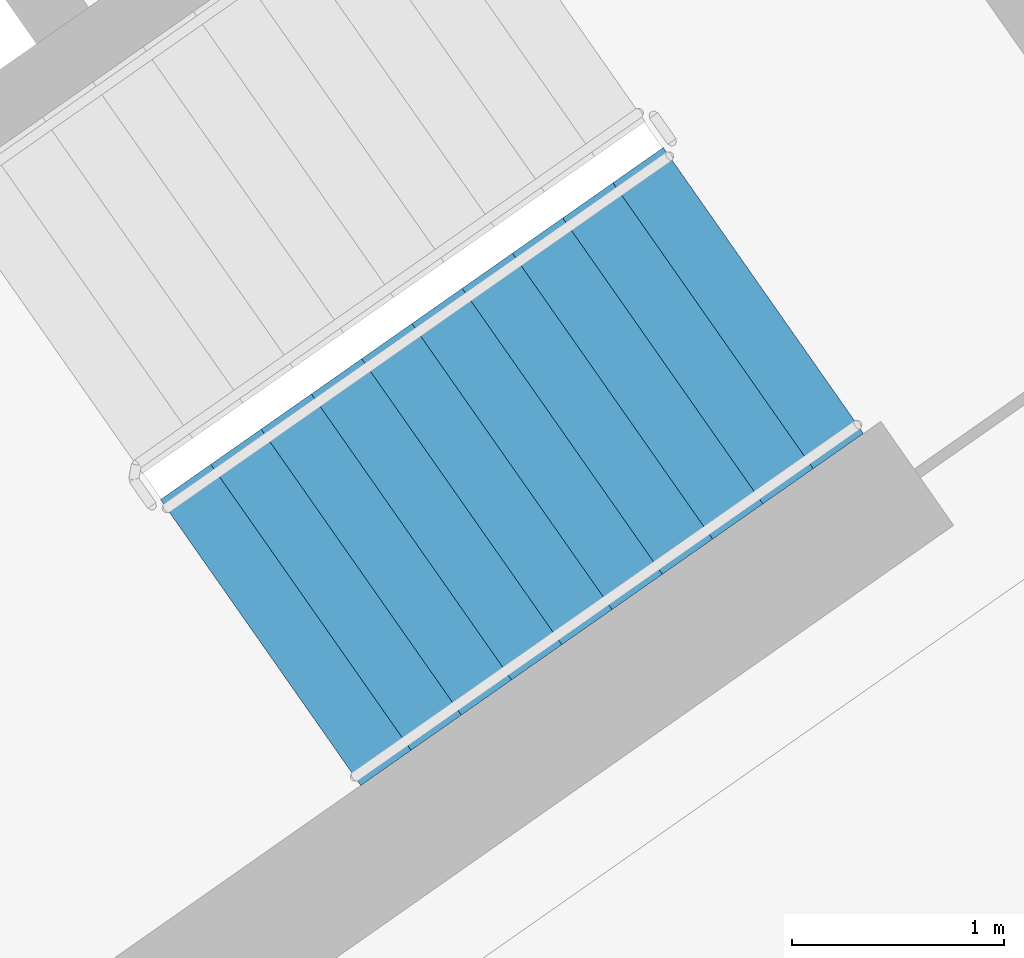
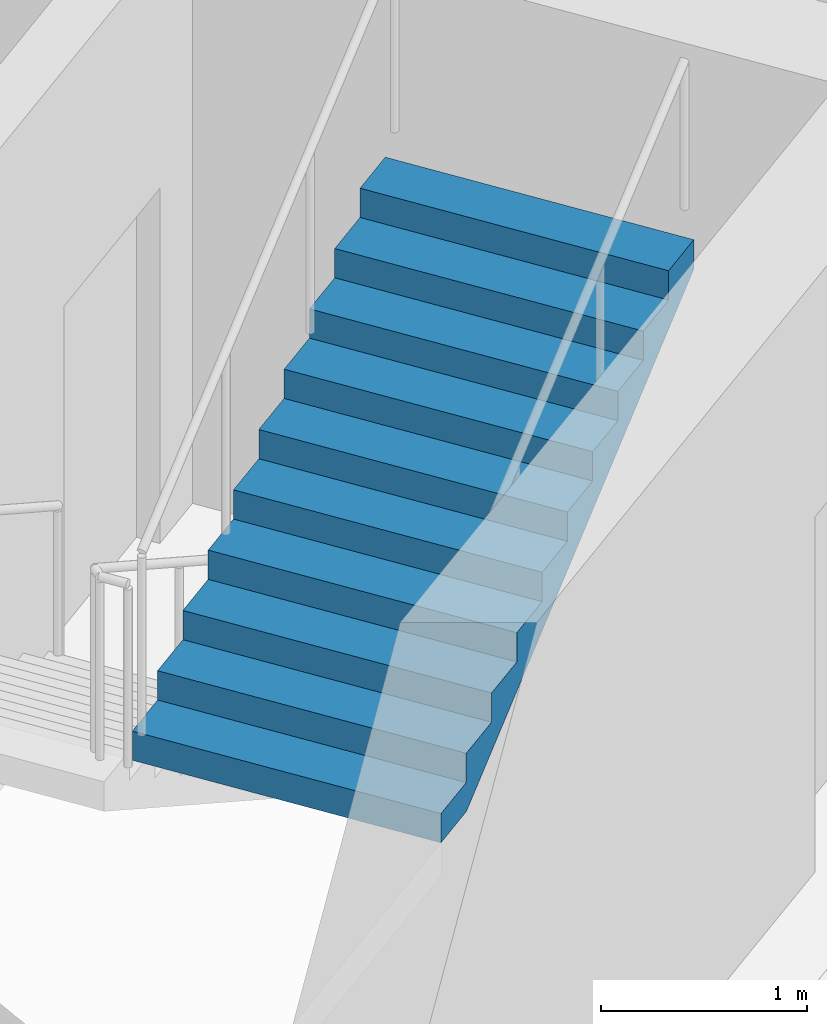
# One storey, part 14 of 31: 1 stair flight, 1 element without a shape of its own.
"""IFC4 building model written with IfcOpenShell, lengths in metres."""

import ifcopenshell
import ifcopenshell.guid

model = None  # the IFC model being written
_history = None  # IfcOwnerHistory: only IFC2X3 demands one
_inside = {}  # id of a spatial element -> (the spatial element, [elements in it])
_under = {}  # id of a project, library or spatial element -> (it, [spatial elements below it])
_declared = {}  # id of a project -> (the project, [libraries it declares])
_typed = {}  # id of a type object -> (the type object, [elements of that type])
_made_of = {}  # id of a material, layer set ... -> (it, [elements and type objects made of it])


def new_model(schema):
    """Start an empty IFC model of exactly this schema.

    Asked for "IFC4X3", IfcOpenShell would pick the latest addendum, in which some entities
    have other attributes; the version numbers below select the first issue.
    IFC2X3 requires an IfcOwnerHistory on every rooted entity: one is made here for all.
    """
    global model, _history
    if schema == "IFC4X3":
        model = ifcopenshell.file(schema_version=(4, 3, 0, 0))
    else:
        model = ifcopenshell.file(schema=schema)
    _inside.clear()
    _under.clear()
    _declared.clear()
    _typed.clear()
    _made_of.clear()
    _history = None
    if model.schema == "IFC2X3":
        org = make("IfcOrganization", Name="unknown")
        user = make(
            "IfcPersonAndOrganization",
            ThePerson=make("IfcPerson", FamilyName="unknown"),
            TheOrganization=org,
        )
        app = make(
            "IfcApplication",
            ApplicationDeveloper=org,
            Version="unknown",
            ApplicationFullName="unknown",
            ApplicationIdentifier="unknown",
        )
        _history = make(
            "IfcOwnerHistory",
            OwningUser=user,
            OwningApplication=app,
            ChangeAction="ADDED",
            CreationDate=0,
        )
    return model


def make(cls, **values):
    """One entity of the class cls with the attributes given. An attribute that is None is left unset."""
    return model.create_entity(
        cls, **{name: value for name, value in values.items() if value is not None}
    )


def rooted(cls, **values):
    """An entity with a GlobalId (a new one), such as an element, a storey or a relation."""
    return make(cls, GlobalId=ifcopenshell.guid.new(), OwnerHistory=_history, **values)


def si_unit(unit_type, name, prefix=None):
    """IfcSIUnit, for example si_unit("LENGTHUNIT", "METRE", prefix="MILLI")."""
    return make("IfcSIUnit", UnitType=unit_type, Prefix=prefix, Name=name)


def assignment(units):
    """IfcUnitAssignment: the units of a project."""
    return None if units is None else make("IfcUnitAssignment", Units=units)


def point(xyz):
    """IfcCartesianPoint."""
    return None if xyz is None else make("IfcCartesianPoint", Coordinates=xyz)


def direction(xyz):
    """IfcDirection."""
    return None if xyz is None else make("IfcDirection", DirectionRatios=xyz)


def frame(location, z_axis=None, x_axis=None):
    """IfcAxis2Placement3D, a coordinate frame: its origin and axes. An axis left out is left unset."""
    return make(
        "IfcAxis2Placement3D",
        Location=point(location),
        Axis=direction(z_axis),
        RefDirection=direction(x_axis),
    )


def origin():
    """The frame at (0, 0, 0) with its axes left unset."""
    return frame((0.0, 0.0, 0.0))


def place(relative_to, where):
    """IfcLocalPlacement: puts the frame where relative to a parent placement (None: the world)."""
    return make(
        "IfcLocalPlacement", PlacementRelTo=relative_to, RelativePlacement=where
    )


def context(
    kind, dimensions, precision=None, world=None, true_north=None, identifier=None
):
    """IfcGeometricRepresentationContext, for example the 3D "Model" context."""
    return make(
        "IfcGeometricRepresentationContext",
        ContextIdentifier=identifier,
        ContextType=kind,
        CoordinateSpaceDimension=dimensions,
        Precision=precision,
        WorldCoordinateSystem=world,
        TrueNorth=true_north,
    )


def subcontext(parent, identifier, kind, view, scale=None):
    """IfcGeometricRepresentationSubContext, for example "Body" below "Model"."""
    return make(
        "IfcGeometricRepresentationSubContext",
        ContextIdentifier=identifier,
        ContextType=kind,
        ParentContext=parent,
        TargetScale=scale,
        TargetView=view,
    )


def project(units=None, contexts=None):
    """IfcProject with its units and contexts."""
    return rooted(
        "IfcProject",
        Name="project",
        RepresentationContexts=contexts,
        UnitsInContext=assignment(units),
    )


def spatial(cls, under=None, at=None, **own):
    """A site, building, storey or space (cls), placed at a placement, below another one or the project."""
    s = rooted(cls, ObjectPlacement=at, **own)
    if under is not None:
        _under.setdefault(under.id(), (under, []))[1].append(s)
    return s


def faces_of(points, faces, orient=None, outer=None):
    """IfcFace entities. A face is a list of loops; a loop is a list of indices into points, from 0.

    orient and outer hold one flag for each loop. By default every Orientation is true, the
    first loop of a face is its IfcFaceOuterBound and the others are IfcFaceBound.
    """
    made = []
    for i, loops in enumerate(faces):
        bounds = []
        for j, loop in enumerate(loops):
            is_outer = j == 0 if outer is None else outer[i][j]
            bounds.append(
                make(
                    "IfcFaceOuterBound" if is_outer else "IfcFaceBound",
                    Bound=make("IfcPolyLoop", Polygon=[points[k] for k in loop]),
                    Orientation=True if orient is None else orient[i][j],
                )
            )
        made.append(make("IfcFace", Bounds=bounds))
    return made


def faceted_brep(points, faces, orient=None, outer=None, voids=None):
    """IfcFacetedBrep: a solid bounded by flat faces; with voids (closed shells), ...WithVoids."""
    shared = [point(p) for p in points]
    hull = make("IfcClosedShell", CfsFaces=faces_of(shared, faces, orient, outer))
    if voids is None:
        return make("IfcFacetedBrep", Outer=hull)
    return make(
        "IfcFacetedBrepWithVoids",
        Outer=hull,
        Voids=[
            make(cls, CfsFaces=faces_of(shared, fs, o, b)) for cls, fs, o, b in voids
        ],
    )


def shape(context_of_items, identifier, shape_type, items):
    """IfcShapeRepresentation: the items that make up one representation, for example the "Body"."""
    return make(
        "IfcShapeRepresentation",
        ContextOfItems=context_of_items,
        RepresentationIdentifier=identifier,
        RepresentationType=shape_type,
        Items=items,
    )


def material(Name=None, Category=None):
    """IfcMaterial."""
    return make("IfcMaterial", Name=Name, Category=Category)


def made_of(thing, what):
    """Note that an element or type object is made of a material, layer set ...; save() writes the relation."""
    if what is not None:
        _made_of.setdefault(what.id(), (what, []))[1].append(thing)
    return thing


def type_object(cls, material=None, **own):
    """A type object (cls), such as IfcWallType, which elements share."""
    return made_of(rooted(cls, **own), material)


def element(
    cls,
    number,
    at=None,
    inside=None,
    cuts=None,
    type_object=None,
    material=None,
    context=None,
    identifier="Body",
    shape_type=None,
    held_by="IfcProductDefinitionShape",
    body=None,
    shapes=None,
    **own,
):
    """One element of the class cls, such as IfcWall. Its Tag is "e" and its number.

    at: its placement. inside: the storey or other place that contains it. cuts: it is an
    opening in that element (IfcRelVoidsElement). A single representation is given by context,
    identifier, shape_type and body (its items); several are given by shapes. held_by: the class
    of the entity that holds the representations. save() writes the other relations.
    """
    e = rooted(cls, Tag="e%d" % number, ObjectPlacement=at, **own)
    if body is not None:
        shapes = [shape(context, identifier, shape_type, body)]
    if shapes is not None:
        e.Representation = make(held_by, Representations=shapes)
    if inside is not None:
        _inside.setdefault(inside.id(), (inside, []))[1].append(e)
    if cuts is not None:
        rooted(
            "IfcRelVoidsElement", RelatingBuildingElement=cuts, RelatedOpeningElement=e
        )
    if type_object is not None:
        _typed.setdefault(type_object.id(), (type_object, []))[1].append(e)
    return made_of(e, material)


def aggregate(whole, parts):
    """IfcRelAggregates: a whole, such as a stair, and the parts it consists of."""
    return rooted("IfcRelAggregates", RelatingObject=whole, RelatedObjects=parts)


def save(model, path):
    """Write the relations noted so far, then the file.

    IfcRelAggregates (storeys below a building ...), IfcRelContainedInSpatialStructure (elements
    in a storey), IfcRelDefinesByType, IfcRelAssociatesMaterial and IfcRelDeclares: one each for
    every whole, place, type object, material and project.
    """
    for whole, parts in _under.values():
        aggregate(whole, parts)
    for where, things in _inside.values():
        rooted(
            "IfcRelContainedInSpatialStructure",
            RelatedElements=things,
            RelatingStructure=where,
        )
    for kind, things in _typed.values():
        rooted("IfcRelDefinesByType", RelatedObjects=things, RelatingType=kind)
    for what, things in _made_of.values():
        rooted("IfcRelAssociatesMaterial", RelatedObjects=things, RelatingMaterial=what)
    for by, libraries in _declared.values():
        rooted("IfcRelDeclares", RelatingContext=by, RelatedDefinitions=libraries)
    model.write(path)


model = new_model("IFC4")

# Units and contexts
model_context = context("Model", 3, precision=1e-05, world=origin(), true_north=direction((0.0, 1.0)))
body_context = subcontext(model_context, "Body", "Model", "MODEL_VIEW")
ifc_project = project(units=[si_unit("LENGTHUNIT", "METRE"), si_unit("AREAUNIT", "SQUARE_METRE"), si_unit("VOLUMEUNIT", "CUBIC_METRE"), si_unit("PLANEANGLEUNIT", "RADIAN"), si_unit("MASSUNIT", "GRAM", prefix="KILO")], contexts=[model_context])

# Site, building, storey
site_placement = place(None, origin())
site = spatial("IfcSite", under=ifc_project, at=site_placement, CompositionType="ELEMENT")
building_placement = place(site_placement, origin())
building = spatial("IfcBuilding", under=site, at=building_placement, Name="Qamariyya Broadcast Tower", CompositionType="ELEMENT")
storey_placement = place(building_placement, frame((0.0, 0.0, 149.300048828125)))
storey = spatial("IfcBuildingStorey", under=building, at=storey_placement, Name="L34", CompositionType="ELEMENT", Elevation=149.300048828125)

# Stair, stair flight
ifc_material = material(Name="Concrete C50/60", Category="concrete")
stair_type = type_object("IfcStairType", Name="Exit stair 22 risers of 173 mm", PredefinedType="HALF_TURN_STAIR", material=ifc_material)
stair_placement = place(storey_placement, origin())
stair = element("IfcStair", 1, at=stair_placement, inside=storey, type_object=stair_type, Name="L34 Stair E1", PredefinedType="HALF_TURN_STAIR")
stair_flight_type = type_object("IfcStairFlightType", Name="Exit stair flight 11 risers of 173 mm", PredefinedType="STRAIGHT", material=ifc_material)
stair_flight_placement = place(storey_placement, frame((44.693359375, -58.64599609375, 1.89990234375), z_axis=(0.0, 0.0, 1.0), x_axis=(0.819152044289, 0.573576436351, 0.0)))
stair_flight = element("IfcStairFlight", 2, at=stair_flight_placement, type_object=stair_flight_type, Name="ST-E1 flight 2", NumberOfRisers=11, NumberOfTreads=10, PredefinedType="STRAIGHT", RiserHeight=0.172727273, TreadLength=0.29, context=body_context, shape_type="Brep", body=[
    faceted_brep([(0.0, 0.824951171875, 0.0), (0.0, 0.824951171875, 0.172607421875), (0.2900390625, 0.824951171875, 0.172607421875), (0.2900390625, 0.824951171875, 0.345458984375), (0.580078125, 0.824951171875, 0.345458984375), (0.580078125, 0.824951171875, 0.51806640625), (0.8701171875, 0.824951171875, 0.51806640625), (0.8701171875, 0.824951171875, 0.69091796875), (1.159912109375, 0.824951171875, 0.69091796875), (1.159912109375, 0.824951171875, 0.863525390625), (1.449951171875, 0.824951171875, 0.863525390625), (1.449951171875, 0.824951171875, 1.036376953125), (1.739990234375, 0.824951171875, 1.036376953125), (1.739990234375, 0.824951171875, 1.208984375), (2.030029296875, 0.824951171875, 1.208984375), (2.030029296875, 0.824951171875, 1.3818359375), (2.320068359375, 0.824951171875, 1.3818359375), (2.320068359375, 0.824951171875, 1.554443359375), (2.610107421875, 0.824951171875, 1.554443359375), (2.610107421875, 0.824951171875, 1.727294921875), (2.89990234375, 0.824951171875, 1.727294921875), (2.89990234375, 0.824951171875, 1.552734375), (0.29296875, 0.824951171875, 0.0), (0.29296875, -0.824951171875, 0.0), (2.89990234375, -0.824951171875, 1.552734375), (2.89990234375, -0.824951171875, 1.727294921875), (2.610107421875, -0.824951171875, 1.727294921875), (2.610107421875, -0.824951171875, 1.554443359375), (2.320068359375, -0.824951171875, 1.554443359375), (2.320068359375, -0.824951171875, 1.3818359375), (2.030029296875, -0.824951171875, 1.3818359375), (2.030029296875, -0.824951171875, 1.208984375), (1.739990234375, -0.824951171875, 1.208984375), (1.739990234375, -0.824951171875, 1.036376953125), (1.449951171875, -0.824951171875, 1.036376953125), (1.449951171875, -0.824951171875, 0.863525390625), (1.159912109375, -0.824951171875, 0.863525390625), (1.159912109375, -0.824951171875, 0.69091796875), (0.8701171875, -0.824951171875, 0.69091796875), (0.8701171875, -0.824951171875, 0.51806640625), (0.580078125, -0.824951171875, 0.51806640625), (0.580078125, -0.824951171875, 0.345458984375), (0.2900390625, -0.824951171875, 0.345458984375), (0.2900390625, -0.824951171875, 0.172607421875), (0.0, -0.824951171875, 0.172607421875), (0.0, -0.824951171875, 0.0), (0.0, 0.10009765625, 0.0), (0.0, 0.086669921875, 0.0), (0.0, 0.0732421875, 0.0), (0.0, 0.06005859375, 0.0), (0.0, 0.046630859375, 0.0), (0.0, 0.033447265625, 0.0), (0.0, 0.02001953125, 0.0), (0.0, 0.006591796875, 0.0), (0.0, -0.006591796875, 0.0), (0.0, -0.02001953125, 0.0), (0.0, -0.033447265625, 0.0), (0.0, -0.046630859375, 0.0), (0.0, -0.06005859375, 0.0), (0.0, -0.0732421875, 0.0), (0.0, -0.086669921875, 0.0), (0.0, -0.10009765625, 0.0), (0.0, -0.10009765625, 0.172607421875), (0.0, -0.086669921875, 0.172607421875), (0.0, -0.0732421875, 0.172607421875), (0.0, -0.06005859375, 0.172607421875), (0.0, -0.046630859375, 0.172607421875), (0.0, -0.033447265625, 0.172607421875), (0.0, -0.02001953125, 0.172607421875), (0.0, -0.006591796875, 0.172607421875), (0.0, 0.006591796875, 0.172607421875), (0.0, 0.02001953125, 0.172607421875), (0.0, 0.033447265625, 0.172607421875), (0.0, 0.046630859375, 0.172607421875), (0.0, 0.06005859375, 0.172607421875), (0.0, 0.0732421875, 0.172607421875), (0.0, 0.086669921875, 0.172607421875), (0.0, 0.10009765625, 0.172607421875), (0.2900390625, -0.10009765625, 0.172607421875), (0.2900390625, -0.086669921875, 0.172607421875), (0.2900390625, -0.0732421875, 0.172607421875), (0.2900390625, -0.06005859375, 0.172607421875), (0.2900390625, -0.046630859375, 0.172607421875), (0.2900390625, -0.033447265625, 0.172607421875), (0.2900390625, -0.02001953125, 0.172607421875), (0.2900390625, -0.006591796875, 0.172607421875), (0.2900390625, 0.006591796875, 0.172607421875), (0.2900390625, 0.02001953125, 0.172607421875), (0.2900390625, 0.033447265625, 0.172607421875), (0.2900390625, 0.046630859375, 0.172607421875), (0.2900390625, 0.06005859375, 0.172607421875), (0.2900390625, 0.0732421875, 0.172607421875), (0.2900390625, 0.086669921875, 0.172607421875), (0.2900390625, 0.10009765625, 0.172607421875), (0.2900390625, -0.10009765625, 0.345458984375), (0.2900390625, -0.086669921875, 0.345458984375), (0.2900390625, -0.0732421875, 0.345458984375), (0.2900390625, -0.06005859375, 0.345458984375), (0.2900390625, -0.046630859375, 0.345458984375), (0.2900390625, -0.033447265625, 0.345458984375), (0.2900390625, -0.02001953125, 0.345458984375), (0.2900390625, -0.006591796875, 0.345458984375), (0.2900390625, 0.006591796875, 0.345458984375), (0.2900390625, 0.02001953125, 0.345458984375), (0.2900390625, 0.033447265625, 0.345458984375), (0.2900390625, 0.046630859375, 0.345458984375), (0.2900390625, 0.06005859375, 0.345458984375), (0.2900390625, 0.0732421875, 0.345458984375), (0.2900390625, 0.086669921875, 0.345458984375), (0.2900390625, 0.10009765625, 0.345458984375), (0.580078125, -0.10009765625, 0.345458984375), (0.580078125, -0.086669921875, 0.345458984375), (0.580078125, -0.0732421875, 0.345458984375), (0.580078125, -0.06005859375, 0.345458984375), (0.580078125, -0.046630859375, 0.345458984375), (0.580078125, -0.033447265625, 0.345458984375), (0.580078125, -0.02001953125, 0.345458984375), (0.580078125, -0.006591796875, 0.345458984375), (0.580078125, 0.006591796875, 0.345458984375), (0.580078125, 0.02001953125, 0.345458984375), (0.580078125, 0.033447265625, 0.345458984375), (0.580078125, 0.046630859375, 0.345458984375), (0.580078125, 0.06005859375, 0.345458984375), (0.580078125, 0.0732421875, 0.345458984375), (0.580078125, 0.086669921875, 0.345458984375), (0.580078125, 0.10009765625, 0.345458984375), (0.580078125, -0.10009765625, 0.51806640625), (0.580078125, -0.086669921875, 0.51806640625), (0.580078125, -0.0732421875, 0.51806640625), (0.580078125, -0.06005859375, 0.51806640625), (0.580078125, -0.046630859375, 0.51806640625), (0.580078125, -0.033447265625, 0.51806640625), (0.580078125, -0.02001953125, 0.51806640625), (0.580078125, -0.006591796875, 0.51806640625), (0.580078125, 0.006591796875, 0.51806640625), (0.580078125, 0.02001953125, 0.51806640625), (0.580078125, 0.033447265625, 0.51806640625), (0.580078125, 0.046630859375, 0.51806640625), (0.580078125, 0.06005859375, 0.51806640625), (0.580078125, 0.0732421875, 0.51806640625), (0.580078125, 0.086669921875, 0.51806640625), (0.580078125, 0.10009765625, 0.51806640625), (0.8701171875, -0.10009765625, 0.51806640625), (0.8701171875, -0.086669921875, 0.51806640625), (0.8701171875, -0.0732421875, 0.51806640625), (0.8701171875, -0.06005859375, 0.51806640625), (0.8701171875, -0.046630859375, 0.51806640625), (0.8701171875, -0.033447265625, 0.51806640625), (0.8701171875, -0.02001953125, 0.51806640625), (0.8701171875, -0.006591796875, 0.51806640625), (0.8701171875, 0.006591796875, 0.51806640625), (0.8701171875, 0.02001953125, 0.51806640625), (0.8701171875, 0.033447265625, 0.51806640625), (0.8701171875, 0.046630859375, 0.51806640625), (0.8701171875, 0.06005859375, 0.51806640625), (0.8701171875, 0.0732421875, 0.51806640625), (0.8701171875, 0.086669921875, 0.51806640625), (0.8701171875, 0.10009765625, 0.51806640625), (0.8701171875, -0.10009765625, 0.69091796875), (0.8701171875, -0.086669921875, 0.69091796875), (0.8701171875, -0.0732421875, 0.69091796875), (0.8701171875, -0.06005859375, 0.69091796875), (0.8701171875, -0.046630859375, 0.69091796875), (0.8701171875, -0.033447265625, 0.69091796875), (0.8701171875, -0.02001953125, 0.69091796875), (0.8701171875, -0.006591796875, 0.69091796875), (0.8701171875, 0.006591796875, 0.69091796875), (0.8701171875, 0.02001953125, 0.69091796875), (0.8701171875, 0.033447265625, 0.69091796875), (0.8701171875, 0.046630859375, 0.69091796875), (0.8701171875, 0.06005859375, 0.69091796875), (0.8701171875, 0.0732421875, 0.69091796875), (0.8701171875, 0.086669921875, 0.69091796875), (0.8701171875, 0.10009765625, 0.69091796875), (1.159912109375, -0.10009765625, 0.69091796875), (1.159912109375, -0.086669921875, 0.69091796875), (1.159912109375, -0.0732421875, 0.69091796875), (1.159912109375, -0.06005859375, 0.69091796875), (1.159912109375, -0.046630859375, 0.69091796875), (1.159912109375, -0.033447265625, 0.69091796875), (1.159912109375, -0.02001953125, 0.69091796875), (1.159912109375, -0.006591796875, 0.69091796875), (1.159912109375, 0.006591796875, 0.69091796875), (1.159912109375, 0.02001953125, 0.69091796875), (1.159912109375, 0.033447265625, 0.69091796875), (1.159912109375, 0.046630859375, 0.69091796875), (1.159912109375, 0.06005859375, 0.69091796875), (1.159912109375, 0.0732421875, 0.69091796875), (1.159912109375, 0.086669921875, 0.69091796875), (1.159912109375, 0.10009765625, 0.69091796875), (1.159912109375, -0.10009765625, 0.863525390625), (1.159912109375, -0.086669921875, 0.863525390625), (1.159912109375, -0.0732421875, 0.863525390625), (1.159912109375, -0.06005859375, 0.863525390625), (1.159912109375, -0.046630859375, 0.863525390625), (1.159912109375, -0.033447265625, 0.863525390625), (1.159912109375, -0.02001953125, 0.863525390625), (1.159912109375, -0.006591796875, 0.863525390625), (1.159912109375, 0.006591796875, 0.863525390625), (1.159912109375, 0.02001953125, 0.863525390625), (1.159912109375, 0.033447265625, 0.863525390625), (1.159912109375, 0.046630859375, 0.863525390625), (1.159912109375, 0.06005859375, 0.863525390625), (1.159912109375, 0.0732421875, 0.863525390625), (1.159912109375, 0.086669921875, 0.863525390625), (1.159912109375, 0.10009765625, 0.863525390625), (1.449951171875, -0.10009765625, 0.863525390625), (1.449951171875, -0.086669921875, 0.863525390625), (1.449951171875, -0.0732421875, 0.863525390625), (1.449951171875, -0.06005859375, 0.863525390625), (1.449951171875, -0.046630859375, 0.863525390625), (1.449951171875, -0.033447265625, 0.863525390625), (1.449951171875, -0.02001953125, 0.863525390625), (1.449951171875, -0.006591796875, 0.863525390625), (1.449951171875, 0.006591796875, 0.863525390625), (1.449951171875, 0.02001953125, 0.863525390625), (1.449951171875, 0.033447265625, 0.863525390625), (1.449951171875, 0.046630859375, 0.863525390625), (1.449951171875, 0.06005859375, 0.863525390625), (1.449951171875, 0.0732421875, 0.863525390625), (1.449951171875, 0.086669921875, 0.863525390625), (1.449951171875, 0.10009765625, 0.863525390625), (1.449951171875, -0.10009765625, 1.036376953125), (1.449951171875, -0.086669921875, 1.036376953125), (1.449951171875, -0.0732421875, 1.036376953125), (1.449951171875, -0.06005859375, 1.036376953125), (1.449951171875, -0.046630859375, 1.036376953125), (1.449951171875, -0.033447265625, 1.036376953125), (1.449951171875, -0.02001953125, 1.036376953125), (1.449951171875, -0.006591796875, 1.036376953125), (1.449951171875, 0.006591796875, 1.036376953125), (1.449951171875, 0.02001953125, 1.036376953125), (1.449951171875, 0.033447265625, 1.036376953125), (1.449951171875, 0.046630859375, 1.036376953125), (1.449951171875, 0.06005859375, 1.036376953125), (1.449951171875, 0.0732421875, 1.036376953125), (1.449951171875, 0.086669921875, 1.036376953125), (1.449951171875, 0.10009765625, 1.036376953125), (1.739990234375, -0.10009765625, 1.036376953125), (1.739990234375, -0.086669921875, 1.036376953125), (1.739990234375, -0.0732421875, 1.036376953125), (1.739990234375, -0.06005859375, 1.036376953125), (1.739990234375, -0.046630859375, 1.036376953125), (1.739990234375, -0.033447265625, 1.036376953125), (1.739990234375, -0.02001953125, 1.036376953125), (1.739990234375, -0.006591796875, 1.036376953125), (1.739990234375, 0.006591796875, 1.036376953125), (1.739990234375, 0.02001953125, 1.036376953125), (1.739990234375, 0.033447265625, 1.036376953125), (1.739990234375, 0.046630859375, 1.036376953125), (1.739990234375, 0.06005859375, 1.036376953125), (1.739990234375, 0.0732421875, 1.036376953125), (1.739990234375, 0.086669921875, 1.036376953125), (1.739990234375, 0.10009765625, 1.036376953125), (1.739990234375, -0.10009765625, 1.208984375), (1.739990234375, -0.086669921875, 1.208984375), (1.739990234375, -0.0732421875, 1.208984375), (1.739990234375, -0.06005859375, 1.208984375), (1.739990234375, -0.046630859375, 1.208984375), (1.739990234375, -0.033447265625, 1.208984375), (1.739990234375, -0.02001953125, 1.208984375), (1.739990234375, -0.006591796875, 1.208984375), (1.739990234375, 0.006591796875, 1.208984375), (1.739990234375, 0.02001953125, 1.208984375), (1.739990234375, 0.033447265625, 1.208984375), (1.739990234375, 0.046630859375, 1.208984375), (1.739990234375, 0.06005859375, 1.208984375), (1.739990234375, 0.0732421875, 1.208984375), (1.739990234375, 0.086669921875, 1.208984375), (1.739990234375, 0.10009765625, 1.208984375), (2.030029296875, -0.10009765625, 1.208984375), (2.030029296875, -0.086669921875, 1.208984375), (2.030029296875, -0.0732421875, 1.208984375), (2.030029296875, -0.06005859375, 1.208984375), (2.030029296875, -0.046630859375, 1.208984375), (2.030029296875, -0.033447265625, 1.208984375), (2.030029296875, -0.02001953125, 1.208984375), (2.030029296875, -0.006591796875, 1.208984375), (2.030029296875, 0.006591796875, 1.208984375), (2.030029296875, 0.02001953125, 1.208984375), (2.030029296875, 0.033447265625, 1.208984375), (2.030029296875, 0.046630859375, 1.208984375), (2.030029296875, 0.06005859375, 1.208984375), (2.030029296875, 0.0732421875, 1.208984375), (2.030029296875, 0.086669921875, 1.208984375), (2.030029296875, 0.10009765625, 1.208984375), (2.030029296875, -0.10009765625, 1.3818359375), (2.030029296875, -0.086669921875, 1.3818359375), (2.030029296875, -0.0732421875, 1.3818359375), (2.030029296875, -0.06005859375, 1.3818359375), (2.030029296875, -0.046630859375, 1.3818359375), (2.030029296875, -0.033447265625, 1.3818359375), (2.030029296875, -0.02001953125, 1.3818359375), (2.030029296875, -0.006591796875, 1.3818359375), (2.030029296875, 0.006591796875, 1.3818359375), (2.030029296875, 0.02001953125, 1.3818359375), (2.030029296875, 0.033447265625, 1.3818359375), (2.030029296875, 0.046630859375, 1.3818359375), (2.030029296875, 0.06005859375, 1.3818359375), (2.030029296875, 0.0732421875, 1.3818359375), (2.030029296875, 0.086669921875, 1.3818359375), (2.030029296875, 0.10009765625, 1.3818359375), (2.320068359375, -0.10009765625, 1.3818359375), (2.320068359375, -0.086669921875, 1.3818359375), (2.320068359375, -0.0732421875, 1.3818359375), (2.320068359375, -0.06005859375, 1.3818359375), (2.320068359375, -0.046630859375, 1.3818359375), (2.320068359375, -0.033447265625, 1.3818359375), (2.320068359375, -0.02001953125, 1.3818359375), (2.320068359375, -0.006591796875, 1.3818359375), (2.320068359375, 0.006591796875, 1.3818359375), (2.320068359375, 0.02001953125, 1.3818359375), (2.320068359375, 0.033447265625, 1.3818359375), (2.320068359375, 0.046630859375, 1.3818359375), (2.320068359375, 0.06005859375, 1.3818359375), (2.320068359375, 0.0732421875, 1.3818359375), (2.320068359375, 0.086669921875, 1.3818359375), (2.320068359375, 0.10009765625, 1.3818359375), (2.320068359375, -0.10009765625, 1.554443359375), (2.320068359375, -0.086669921875, 1.554443359375), (2.320068359375, -0.0732421875, 1.554443359375), (2.320068359375, -0.06005859375, 1.554443359375), (2.320068359375, -0.046630859375, 1.554443359375), (2.320068359375, -0.033447265625, 1.554443359375), (2.320068359375, -0.02001953125, 1.554443359375), (2.320068359375, -0.006591796875, 1.554443359375), (2.320068359375, 0.006591796875, 1.554443359375), (2.320068359375, 0.02001953125, 1.554443359375), (2.320068359375, 0.033447265625, 1.554443359375), (2.320068359375, 0.046630859375, 1.554443359375), (2.320068359375, 0.06005859375, 1.554443359375), (2.320068359375, 0.0732421875, 1.554443359375), (2.320068359375, 0.086669921875, 1.554443359375), (2.320068359375, 0.10009765625, 1.554443359375), (2.610107421875, -0.10009765625, 1.554443359375), (2.610107421875, -0.086669921875, 1.554443359375), (2.610107421875, -0.0732421875, 1.554443359375), (2.610107421875, -0.06005859375, 1.554443359375), (2.610107421875, -0.046630859375, 1.554443359375), (2.610107421875, -0.033447265625, 1.554443359375), (2.610107421875, -0.02001953125, 1.554443359375), (2.610107421875, -0.006591796875, 1.554443359375), (2.610107421875, 0.006591796875, 1.554443359375), (2.610107421875, 0.02001953125, 1.554443359375), (2.610107421875, 0.033447265625, 1.554443359375), (2.610107421875, 0.046630859375, 1.554443359375), (2.610107421875, 0.06005859375, 1.554443359375), (2.610107421875, 0.0732421875, 1.554443359375), (2.610107421875, 0.086669921875, 1.554443359375), (2.610107421875, 0.10009765625, 1.554443359375), (2.610107421875, -0.10009765625, 1.727294921875), (2.610107421875, -0.086669921875, 1.727294921875), (2.610107421875, -0.0732421875, 1.727294921875), (2.610107421875, -0.06005859375, 1.727294921875), (2.610107421875, -0.046630859375, 1.727294921875), (2.610107421875, -0.033447265625, 1.727294921875), (2.610107421875, -0.02001953125, 1.727294921875), (2.610107421875, -0.006591796875, 1.727294921875), (2.610107421875, 0.006591796875, 1.727294921875), (2.610107421875, 0.02001953125, 1.727294921875), (2.610107421875, 0.033447265625, 1.727294921875), (2.610107421875, 0.046630859375, 1.727294921875), (2.610107421875, 0.06005859375, 1.727294921875), (2.610107421875, 0.0732421875, 1.727294921875), (2.610107421875, 0.086669921875, 1.727294921875), (2.610107421875, 0.10009765625, 1.727294921875), (2.89990234375, -0.10009765625, 1.727294921875), (2.89990234375, -0.086669921875, 1.727294921875), (2.89990234375, -0.0732421875, 1.727294921875), (2.89990234375, -0.06005859375, 1.727294921875), (2.89990234375, -0.046630859375, 1.727294921875), (2.89990234375, -0.033447265625, 1.727294921875), (2.89990234375, -0.02001953125, 1.727294921875), (2.89990234375, -0.006591796875, 1.727294921875), (2.89990234375, 0.006591796875, 1.727294921875), (2.89990234375, 0.02001953125, 1.727294921875), (2.89990234375, 0.033447265625, 1.727294921875), (2.89990234375, 0.046630859375, 1.727294921875), (2.89990234375, 0.06005859375, 1.727294921875), (2.89990234375, 0.0732421875, 1.727294921875), (2.89990234375, 0.086669921875, 1.727294921875), (2.89990234375, 0.10009765625, 1.727294921875), (2.89990234375, -0.10009765625, 1.552734375), (2.89990234375, -0.086669921875, 1.552734375), (2.89990234375, -0.0732421875, 1.552734375), (2.89990234375, -0.06005859375, 1.552734375), (2.89990234375, -0.046630859375, 1.552734375), (2.89990234375, -0.033447265625, 1.552734375), (2.89990234375, -0.02001953125, 1.552734375), (2.89990234375, -0.006591796875, 1.552734375), (2.89990234375, 0.006591796875, 1.552734375), (2.89990234375, 0.02001953125, 1.552734375), (2.89990234375, 0.033447265625, 1.552734375), (2.89990234375, 0.046630859375, 1.552734375), (2.89990234375, 0.06005859375, 1.552734375), (2.89990234375, 0.0732421875, 1.552734375), (2.89990234375, 0.086669921875, 1.552734375), (2.89990234375, 0.10009765625, 1.552734375), (0.29296875, -0.10009765625, 0.0), (0.29296875, -0.086669921875, 0.0), (0.29296875, -0.0732421875, 0.0), (0.29296875, -0.06005859375, 0.0), (0.29296875, -0.046630859375, 0.0), (0.29296875, -0.033447265625, 0.0), (0.29296875, -0.02001953125, 0.0), (0.29296875, -0.006591796875, 0.0), (0.29296875, 0.006591796875, 0.0), (0.29296875, 0.02001953125, 0.0), (0.29296875, 0.033447265625, 0.0), (0.29296875, 0.046630859375, 0.0), (0.29296875, 0.06005859375, 0.0), (0.29296875, 0.0732421875, 0.0), (0.29296875, 0.086669921875, 0.0), (0.29296875, 0.10009765625, 0.0)], [[[0, 1, 2, 3, 4, 5, 6, 7, 8, 9, 10, 11, 12, 13, 14, 15, 16, 17, 18, 19, 20, 21, 22]], [[23, 24, 25, 26, 27, 28, 29, 30, 31, 32, 33, 34, 35, 36, 37, 38, 39, 40, 41, 42, 43, 44, 45]], [[0, 46, 47, 48, 49, 50, 51, 52, 53, 54, 55, 56, 57, 58, 59, 60, 61, 45, 44, 62, 63, 64, 65, 66, 67, 68, 69, 70, 71, 72, 73, 74, 75, 76, 77, 1]], [[1, 77, 76, 75, 74, 73, 72, 71, 70, 69, 68, 67, 66, 65, 64, 63, 62, 44, 43, 78, 79, 80, 81, 82, 83, 84, 85, 86, 87, 88, 89, 90, 91, 92, 93, 2]], [[2, 93, 92, 91, 90, 89, 88, 87, 86, 85, 84, 83, 82, 81, 80, 79, 78, 43, 42, 94, 95, 96, 97, 98, 99, 100, 101, 102, 103, 104, 105, 106, 107, 108, 109, 3]], [[3, 109, 108, 107, 106, 105, 104, 103, 102, 101, 100, 99, 98, 97, 96, 95, 94, 42, 41, 110, 111, 112, 113, 114, 115, 116, 117, 118, 119, 120, 121, 122, 123, 124, 125, 4]], [[4, 125, 124, 123, 122, 121, 120, 119, 118, 117, 116, 115, 114, 113, 112, 111, 110, 41, 40, 126, 127, 128, 129, 130, 131, 132, 133, 134, 135, 136, 137, 138, 139, 140, 141, 5]], [[5, 141, 140, 139, 138, 137, 136, 135, 134, 133, 132, 131, 130, 129, 128, 127, 126, 40, 39, 142, 143, 144, 145, 146, 147, 148, 149, 150, 151, 152, 153, 154, 155, 156, 157, 6]], [[6, 157, 156, 155, 154, 153, 152, 151, 150, 149, 148, 147, 146, 145, 144, 143, 142, 39, 38, 158, 159, 160, 161, 162, 163, 164, 165, 166, 167, 168, 169, 170, 171, 172, 173, 7]], [[7, 173, 172, 171, 170, 169, 168, 167, 166, 165, 164, 163, 162, 161, 160, 159, 158, 38, 37, 174, 175, 176, 177, 178, 179, 180, 181, 182, 183, 184, 185, 186, 187, 188, 189, 8]], [[8, 189, 188, 187, 186, 185, 184, 183, 182, 181, 180, 179, 178, 177, 176, 175, 174, 37, 36, 190, 191, 192, 193, 194, 195, 196, 197, 198, 199, 200, 201, 202, 203, 204, 205, 9]], [[9, 205, 204, 203, 202, 201, 200, 199, 198, 197, 196, 195, 194, 193, 192, 191, 190, 36, 35, 206, 207, 208, 209, 210, 211, 212, 213, 214, 215, 216, 217, 218, 219, 220, 221, 10]], [[10, 221, 220, 219, 218, 217, 216, 215, 214, 213, 212, 211, 210, 209, 208, 207, 206, 35, 34, 222, 223, 224, 225, 226, 227, 228, 229, 230, 231, 232, 233, 234, 235, 236, 237, 11]], [[11, 237, 236, 235, 234, 233, 232, 231, 230, 229, 228, 227, 226, 225, 224, 223, 222, 34, 33, 238, 239, 240, 241, 242, 243, 244, 245, 246, 247, 248, 249, 250, 251, 252, 253, 12]], [[12, 253, 252, 251, 250, 249, 248, 247, 246, 245, 244, 243, 242, 241, 240, 239, 238, 33, 32, 254, 255, 256, 257, 258, 259, 260, 261, 262, 263, 264, 265, 266, 267, 268, 269, 13]], [[13, 269, 268, 267, 266, 265, 264, 263, 262, 261, 260, 259, 258, 257, 256, 255, 254, 32, 31, 270, 271, 272, 273, 274, 275, 276, 277, 278, 279, 280, 281, 282, 283, 284, 285, 14]], [[14, 285, 284, 283, 282, 281, 280, 279, 278, 277, 276, 275, 274, 273, 272, 271, 270, 31, 30, 286, 287, 288, 289, 290, 291, 292, 293, 294, 295, 296, 297, 298, 299, 300, 301, 15]], [[15, 301, 300, 299, 298, 297, 296, 295, 294, 293, 292, 291, 290, 289, 288, 287, 286, 30, 29, 302, 303, 304, 305, 306, 307, 308, 309, 310, 311, 312, 313, 314, 315, 316, 317, 16]], [[16, 317, 316, 315, 314, 313, 312, 311, 310, 309, 308, 307, 306, 305, 304, 303, 302, 29, 28, 318, 319, 320, 321, 322, 323, 324, 325, 326, 327, 328, 329, 330, 331, 332, 333, 17]], [[17, 333, 332, 331, 330, 329, 328, 327, 326, 325, 324, 323, 322, 321, 320, 319, 318, 28, 27, 334, 335, 336, 337, 338, 339, 340, 341, 342, 343, 344, 345, 346, 347, 348, 349, 18]], [[18, 349, 348, 347, 346, 345, 344, 343, 342, 341, 340, 339, 338, 337, 336, 335, 334, 27, 26, 350, 351, 352, 353, 354, 355, 356, 357, 358, 359, 360, 361, 362, 363, 364, 365, 19]], [[19, 365, 364, 363, 362, 361, 360, 359, 358, 357, 356, 355, 354, 353, 352, 351, 350, 26, 25, 366, 367, 368, 369, 370, 371, 372, 373, 374, 375, 376, 377, 378, 379, 380, 381, 20]], [[20, 381, 380, 379, 378, 377, 376, 375, 374, 373, 372, 371, 370, 369, 368, 367, 366, 25, 24, 382, 383, 384, 385, 386, 387, 388, 389, 390, 391, 392, 393, 394, 395, 396, 397, 21]], [[21, 397, 396, 395, 394, 393, 392, 391, 390, 389, 388, 387, 386, 385, 384, 383, 382, 24, 23, 398, 399, 400, 401, 402, 403, 404, 405, 406, 407, 408, 409, 410, 411, 412, 413, 22]], [[22, 413, 412, 411, 410, 409, 408, 407, 406, 405, 404, 403, 402, 401, 400, 399, 398, 23, 45, 61, 60, 59, 58, 57, 56, 55, 54, 53, 52, 51, 50, 49, 48, 47, 46, 0]]]),
])
aggregate(stair, [stair_flight])

save(model, "model.ifc")
